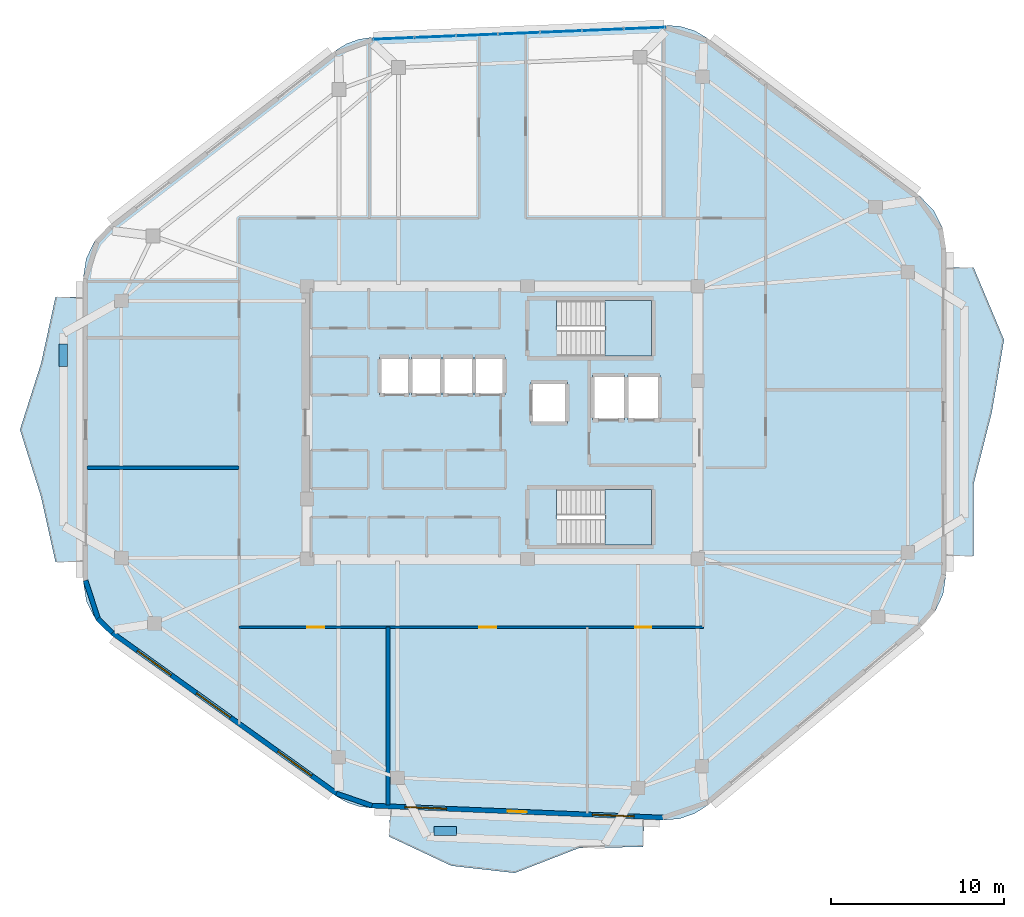
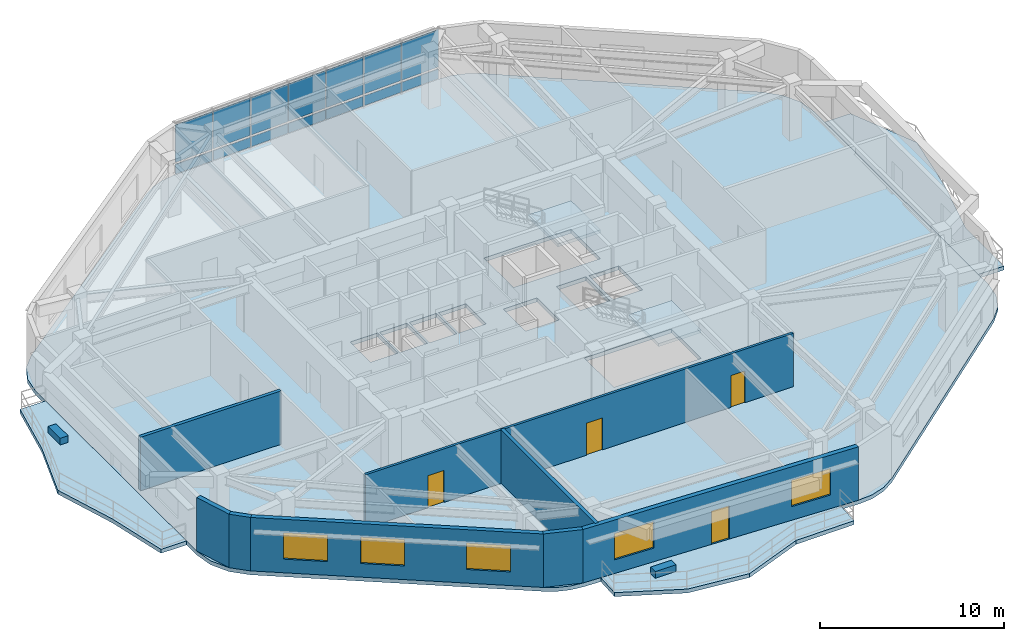
# One storey, part 5 of 12: 16 plates, 8 walls, 6 slabs, 5 windows, 4 doors, 9 openings, 3 elements without a shape of their own.
"""IFC4 building model written with IfcOpenShell, lengths in metres."""

from ifc_helpers import new_model, si_unit, direction, frame, frame_2d, origin, origin_2d, place, context, subcontext, project, spatial, polyline, rectangle, outline, extrude, material, layer, layer_set, type_object, element, fill, aggregate, save


model = new_model("IFC4")

# Units and contexts
model_context = context("Model", 3, precision=1e-05, world=origin(), true_north=direction((0.0, 1.0)))
body_context = subcontext(model_context, "Body", "Model", "MODEL_VIEW")
ifc_project = project(units=[si_unit("LENGTHUNIT", "METRE"), si_unit("AREAUNIT", "SQUARE_METRE"), si_unit("VOLUMEUNIT", "CUBIC_METRE"), si_unit("PLANEANGLEUNIT", "RADIAN"), si_unit("MASSUNIT", "GRAM", prefix="KILO")], contexts=[model_context])

# Site, building, storey
site_placement = place(None, origin())
site = spatial("IfcSite", under=ifc_project, at=site_placement, CompositionType="ELEMENT")
building_placement = place(site_placement, origin())
building = spatial("IfcBuilding", under=site, at=building_placement, Name="Zulverin Broadcast Headquarters", CompositionType="ELEMENT")
storey_placement = place(building_placement, frame((0.0, 0.0, 289.60009765625)))
storey = spatial("IfcBuildingStorey", under=building, at=storey_placement, Name="L74", CompositionType="ELEMENT", Elevation=289.60009765625)

# Curtain wall, plates
ifc_material_1 = material(Name="High-zone solar-control unitised curtain wall", Category="aluminium")
curtain_wall_type = type_object("IfcCurtainWallType", Name="CW-TWR-UPP", PredefinedType="USERDEFINED", material=ifc_material_1)
curtain_wall_placement = place(storey_placement, origin())
curtain_wall = element("IfcCurtainWall", 1, at=curtain_wall_placement, inside=storey, type_object=curtain_wall_type, Name="L74 Unitised Curtain Wall CW-L74-E5", ObjectType="UNITISED CURTAIN WALL", PredefinedType="USERDEFINED")
ifc_material_2 = material(Name="Low-E double-glazed pale-silver vision glass", Category="glass")
ifc_layer_1 = layer(ifc_material_2, 0.035888671875, Name="Low-E double-glazed pale-silver vision glass", Category="glass")
ifc_layer_set_1 = layer_set([ifc_layer_1], Name="Low-E double-glazed pale-silver vision glass")
plate_type_1 = type_object("IfcPlateType", Name="CW-PNL-GLZ", PredefinedType="CURTAIN_PANEL", material=ifc_layer_set_1)
plate_1_placement = place(storey_placement, frame((45.205078125, 47.975341796875, 0.91455078125), z_axis=(0.0, 0.0, 1.0), x_axis=(-0.999156343069, -0.041068261531, 0.0)))
plate_1 = element("IfcPlate", 2, at=plate_1_placement, type_object=plate_type_1, Name="CW-L74-E5 Vision Panel 00", PredefinedType="CURTAIN_PANEL", context=body_context, shape_type="SweptSolid", body=[
    extrude(rectangle(XDim=2.377685546875, YDim=0.035888671875, at=origin_2d()), origin(), (0.0, 0.0, 1.0), 2.4853515625),
])
plate_2_placement = place(storey_placement, frame((42.78955078125, 47.8759765625, 0.91455078125), z_axis=(0.0, 0.0, 1.0), x_axis=(-0.999156343069, -0.041068261531, 0.0)))
plate_2 = element("IfcPlate", 3, at=plate_2_placement, type_object=plate_type_1, Name="CW-L74-E5 Vision Panel 01", PredefinedType="CURTAIN_PANEL", context=body_context, shape_type="SweptSolid", body=[
    extrude(rectangle(XDim=2.377685546875, YDim=0.035888671875, at=origin_2d()), origin(), (0.0, 0.0, 1.0), 2.4853515625),
])
plate_3_placement = place(storey_placement, frame((40.3740234375, 47.776611328125, 0.91455078125), z_axis=(0.0, 0.0, 1.0), x_axis=(-0.999156343069, -0.041068261531, 0.0)))
plate_3 = element("IfcPlate", 4, at=plate_3_placement, type_object=plate_type_1, Name="CW-L74-E5 Vision Panel 02", PredefinedType="CURTAIN_PANEL", context=body_context, shape_type="SweptSolid", body=[
    extrude(rectangle(XDim=2.377685546875, YDim=0.035888671875, at=origin_2d()), origin(), (0.0, 0.0, 1.0), 2.4853515625),
])
plate_4_placement = place(storey_placement, frame((37.95849609375, 47.677490234375, 0.91455078125), z_axis=(0.0, 0.0, 1.0), x_axis=(-0.999156343069, -0.041068261531, 0.0)))
plate_4 = element("IfcPlate", 5, at=plate_4_placement, type_object=plate_type_1, Name="CW-L74-E5 Vision Panel 03", PredefinedType="CURTAIN_PANEL", context=body_context, shape_type="SweptSolid", body=[
    extrude(rectangle(XDim=2.377685546875, YDim=0.035888671875, at=origin_2d()), origin(), (0.0, 0.0, 1.0), 2.4853515625),
])
plate_5_placement = place(storey_placement, frame((35.54296875, 47.578125, 0.91455078125), z_axis=(0.0, 0.0, 1.0), x_axis=(-0.999156343069, -0.041068261531, 0.0)))
plate_5 = element("IfcPlate", 6, at=plate_5_placement, type_object=plate_type_1, Name="CW-L74-E5 Vision Panel 04", PredefinedType="CURTAIN_PANEL", context=body_context, shape_type="SweptSolid", body=[
    extrude(rectangle(XDim=2.377685546875, YDim=0.035888671875, at=origin_2d()), origin(), (0.0, 0.0, 1.0), 2.4853515625),
])
plate_6_placement = place(storey_placement, frame((33.12744140625, 47.478759765625, 0.91455078125), z_axis=(0.0, 0.0, 1.0), x_axis=(-0.999156343069, -0.041068261531, 0.0)))
plate_6 = element("IfcPlate", 7, at=plate_6_placement, type_object=plate_type_1, Name="CW-L74-E5 Vision Panel 05", PredefinedType="CURTAIN_PANEL", context=body_context, shape_type="SweptSolid", body=[
    extrude(rectangle(XDim=2.377685546875, YDim=0.035888671875, at=origin_2d()), origin(), (0.0, 0.0, 1.0), 2.4853515625),
])
plate_7_placement = place(storey_placement, frame((30.7119140625, 47.37939453125, 0.91455078125), z_axis=(0.0, 0.0, 1.0), x_axis=(-0.999156343069, -0.041068261531, 0.0)))
plate_7 = element("IfcPlate", 8, at=plate_7_placement, type_object=plate_type_1, Name="CW-L74-E5 Vision Panel 06", PredefinedType="CURTAIN_PANEL", context=body_context, shape_type="SweptSolid", body=[
    extrude(rectangle(XDim=2.377685546875, YDim=0.035888671875, at=origin_2d()), origin(), (0.0, 0.0, 1.0), 2.4853515625),
])
ifc_material_3 = material(Name="Insulated brushed pale-aluminium spandrel cassette", Category="aluminium")
ifc_layer_2 = layer(ifc_material_3, 0.050048828125, Name="Insulated brushed pale-aluminium spandrel cassette", Category="aluminium")
ifc_layer_set_2 = layer_set([ifc_layer_2], Name="Insulated brushed pale-aluminium spandrel cassette")
plate_type_2 = type_object("IfcPlateType", Name="CW-PNL-SPN", PredefinedType="CURTAIN_PANEL", material=ifc_layer_set_2)
plate_8_placement = place(storey_placement, frame((45.205078125, 47.975341796875, 0.139892578125), z_axis=(0.0, 0.0, 1.0), x_axis=(-0.999156343069, -0.041068261531, 0.0)))
plate_8 = element("IfcPlate", 9, at=plate_8_placement, type_object=plate_type_2, Name="CW-L74-E5 Spandrel Cassette 00", PredefinedType="CURTAIN_PANEL", context=body_context, shape_type="SweptSolid", body=[
    extrude(rectangle(XDim=2.377685546875, YDim=0.050048828125, at=origin_2d()), origin(), (0.0, 0.0, 1.0), 0.64453125),
])
plate_9_placement = place(storey_placement, frame((42.78955078125, 47.8759765625, 0.139892578125), z_axis=(0.0, 0.0, 1.0), x_axis=(-0.999156343069, -0.041068261531, 0.0)))
plate_9 = element("IfcPlate", 10, at=plate_9_placement, type_object=plate_type_2, Name="CW-L74-E5 Spandrel Cassette 01", PredefinedType="CURTAIN_PANEL", context=body_context, shape_type="SweptSolid", body=[
    extrude(rectangle(XDim=2.377685546875, YDim=0.050048828125, at=origin_2d()), origin(), (0.0, 0.0, 1.0), 0.64453125),
])
plate_10_placement = place(storey_placement, frame((40.3740234375, 47.776611328125, 0.139892578125), z_axis=(0.0, 0.0, 1.0), x_axis=(-0.999156343069, -0.041068261531, 0.0)))
plate_10 = element("IfcPlate", 11, at=plate_10_placement, type_object=plate_type_2, Name="CW-L74-E5 Spandrel Cassette 02", PredefinedType="CURTAIN_PANEL", context=body_context, shape_type="SweptSolid", body=[
    extrude(rectangle(XDim=2.377685546875, YDim=0.050048828125, at=origin_2d()), origin(), (0.0, 0.0, 1.0), 0.64453125),
])
plate_11_placement = place(storey_placement, frame((37.95849609375, 47.677490234375, 0.139892578125), z_axis=(0.0, 0.0, 1.0), x_axis=(-0.999156343069, -0.041068261531, 0.0)))
plate_11 = element("IfcPlate", 12, at=plate_11_placement, type_object=plate_type_2, Name="CW-L74-E5 Spandrel Cassette 03", PredefinedType="CURTAIN_PANEL", context=body_context, shape_type="SweptSolid", body=[
    extrude(rectangle(XDim=2.377685546875, YDim=0.050048828125, at=origin_2d()), origin(), (0.0, 0.0, 1.0), 0.64453125),
])
plate_12_placement = place(storey_placement, frame((35.54296875, 47.578125, 0.139892578125), z_axis=(0.0, 0.0, 1.0), x_axis=(-0.999156343069, -0.041068261531, 0.0)))
plate_12 = element("IfcPlate", 13, at=plate_12_placement, type_object=plate_type_2, Name="CW-L74-E5 Spandrel Cassette 04", PredefinedType="CURTAIN_PANEL", context=body_context, shape_type="SweptSolid", body=[
    extrude(rectangle(XDim=2.377685546875, YDim=0.050048828125, at=origin_2d()), origin(), (0.0, 0.0, 1.0), 0.64453125),
])
plate_13_placement = place(storey_placement, frame((33.12744140625, 47.478759765625, 0.139892578125), z_axis=(0.0, 0.0, 1.0), x_axis=(-0.999156343069, -0.041068261531, 0.0)))
plate_13 = element("IfcPlate", 14, at=plate_13_placement, type_object=plate_type_2, Name="CW-L74-E5 Spandrel Cassette 05", PredefinedType="CURTAIN_PANEL", context=body_context, shape_type="SweptSolid", body=[
    extrude(rectangle(XDim=2.377685546875, YDim=0.050048828125, at=origin_2d()), origin(), (0.0, 0.0, 1.0), 0.64453125),
])
plate_14_placement = place(storey_placement, frame((30.7119140625, 47.37939453125, 0.139892578125), z_axis=(0.0, 0.0, 1.0), x_axis=(-0.999156343069, -0.041068261531, 0.0)))
plate_14 = element("IfcPlate", 15, at=plate_14_placement, type_object=plate_type_2, Name="CW-L74-E5 Spandrel Cassette 06", PredefinedType="CURTAIN_PANEL", context=body_context, shape_type="SweptSolid", body=[
    extrude(rectangle(XDim=2.377685546875, YDim=0.050048828125, at=origin_2d()), origin(), (0.0, 0.0, 1.0), 0.64453125),
])
aggregate(curtain_wall, [plate_8, plate_1, plate_9, plate_2, plate_10, plate_3, plate_11, plate_4, plate_12, plate_5, plate_13, plate_6, plate_14, plate_7])

# Plates
ifc_material_4 = material(Name="Precast concrete C45/55", Category="concrete")
ifc_layer_3 = layer(ifc_material_4, 0.449951171875, Name="Precast concrete C45/55", Category="concrete")
ifc_layer_set_3 = layer_set([ifc_layer_3], Name="Precast concrete C45/55")
plate_type_3 = type_object("IfcPlateType", Name="PT-01_PRECAST_GFRC_TREE_PLANTER", PredefinedType="USERDEFINED", material=ifc_layer_set_3)
for number, where, z_axis, x_axis, name in (
    (16, (33.700439453125, 1.626708984375, -0.0048828125), (0.0, 0.0, 1.0), (1.0, 0.0, 0.0), "L74 Precast GFRC Tree Planter BAL_S"),
    (17, (11.64990234375, 29.082763671875, -0.0048828125), (0.0, 0.0, 1.0), (0.0, 1.0, 0.0), "L74 Precast GFRC Tree Planter BAL_W"),
):
    element("IfcPlate", number, at=place(storey_placement, frame(where, z_axis=z_axis, x_axis=x_axis)), inside=storey, type_object=plate_type_3, Name=name, ObjectType="PLANTER", PredefinedType="USERDEFINED", context=body_context, shape_type="SweptSolid", body=[
        extrude(rectangle(XDim=1.300048828125, YDim=0.5, at=origin_2d()), origin(), (0.0, 0.0, 1.0), 0.449951171875),
    ])

# Slabs
ifc_material_5 = material(Name="Concrete C40/50", Category="concrete")
ifc_layer_4 = layer(ifc_material_5, 0.260009765625, Name="Concrete C40/50", Category="concrete")
ifc_layer_set_4 = layer_set([ifc_layer_4], Name="Concrete C40/50")
slab_type_1 = type_object("IfcSlabType", Name="SLB-BAL-260", PredefinedType="FLOOR", material=ifc_layer_set_4)
slab_1_placement = place(storey_placement, frame((0.0, 0.0, -0.260009765625)))
element("IfcSlab", 18, at=slab_1_placement, inside=storey, type_object=slab_type_1, Name="L74 Cantilevered Planted Balcony Slab BAL_E", PredefinedType="FLOOR", context=body_context, shape_type="SweptSolid", body=[
    extrude(outline(polyline([(62.60009765625, 34.150146484375), (62.60009765625, 17.49560546875), (64.199951171875, 17.49560546875), (64.199951171875, 21.6591796875), (65.25390625, 25.82275390625), (65.9541015625, 29.986328125), (64.199951171875, 34.150146484375), (62.60009765625, 34.150146484375)])), origin(), (0.0, 0.0, 1.0), 0.260009765625),
])
slab_2_placement = place(storey_placement, frame((0.0, 0.0, -0.260009765625)))
element("IfcSlab", 19, at=slab_2_placement, inside=storey, type_object=slab_type_1, Name="L74 Cantilevered Planted Balcony Slab BAL_S", PredefinedType="FLOOR", context=body_context, shape_type="SweptSolid", body=[
    extrude(outline(polyline([(45.185302734375, 2.305419921875), (30.521728515625, 2.908203125), (30.4560546875, 1.3095703125), (34.05859375, -0.380615234375), (37.7138671875, -0.79296875), (41.445556640625, 0.658203125), (45.11962890625, 0.706787109375), (45.185302734375, 2.305419921875)])), origin(), (0.0, 0.0, 1.0), 0.260009765625),
])
slab_3_placement = place(storey_placement, frame((0.0, 0.0, -0.260009765625)))
element("IfcSlab", 20, at=slab_3_placement, inside=storey, type_object=slab_type_1, Name="L74 Cantilevered Planted Balcony Slab BAL_W", PredefinedType="FLOOR", context=body_context, shape_type="SweptSolid", body=[
    extrude(outline(polyline([(12.800048828125, 17.151611328125), (12.800048828125, 32.447998046875), (11.199951171875, 32.447998046875), (10.368408203125, 28.623779296875), (9.14990234375, 24.7998046875), (10.349853515625, 20.975830078125), (11.199951171875, 17.151611328125), (12.800048828125, 17.151611328125)])), origin(), (0.0, 0.0, 1.0), 0.260009765625),
])

# Stair, slab
stair_type = type_object("IfcStairType", Name="ST-CORE-1500", PredefinedType="HALF_TURN_STAIR", material=ifc_material_5)
stair_1_placement = place(storey_placement, origin())
stair_1 = element("IfcStair", 21, at=stair_1_placement, inside=storey, type_object=stair_type, Name="L74 Core Exit Stair ST-1", PredefinedType="HALF_TURN_STAIR")
ifc_layer_5 = layer(ifc_material_5, 0.199951171875, Name="Concrete C40/50", Category="concrete")
ifc_layer_set_5 = layer_set([ifc_layer_5], Name="Concrete C40/50")
slab_type_2 = type_object("IfcSlabType", Name="SLB-ST-LND200", PredefinedType="LANDING", material=ifc_layer_set_5)
slab_4_placement = place(storey_placement, frame((0.0, 0.0, 1.699951171875)))
slab_4 = element("IfcSlab", 22, at=slab_4_placement, type_object=slab_type_2, Name="ST-1 landing 1", PredefinedType="LANDING", context=body_context, shape_type="SweptSolid", body=[
    extrude(outline(polyline([(42.929931640625, 29.050048828125), (45.60009765625, 29.050048828125), (45.60009765625, 32.25), (42.929931640625, 32.25), (42.929931640625, 29.050048828125)])), origin(), (0.0, 0.0, 1.0), 0.199951171875),
])
aggregate(stair_1, [slab_4])

stair_2_placement = place(storey_placement, origin())
stair_2 = element("IfcStair", 23, at=stair_2_placement, inside=storey, type_object=stair_type, Name="L74 Core Exit Stair ST-2", PredefinedType="HALF_TURN_STAIR")
slab_5_placement = place(storey_placement, frame((0.0, 0.0, 1.699951171875)))
slab_5 = element("IfcSlab", 24, at=slab_5_placement, type_object=slab_type_2, Name="ST-2 landing 1", PredefinedType="LANDING", context=body_context, shape_type="SweptSolid", body=[
    extrude(outline(polyline([(42.929931640625, 18.14990234375), (45.60009765625, 18.14990234375), (45.60009765625, 21.35009765625), (42.929931640625, 21.35009765625), (42.929931640625, 18.14990234375)])), origin(), (0.0, 0.0, 1.0), 0.199951171875),
])
aggregate(stair_2, [slab_5])

# Slab
ifc_layer_6 = layer(ifc_material_5, 0.260009765625, Name="Concrete C40/50", Category="concrete")
ifc_layer_set_6 = layer_set([ifc_layer_6], Name="Concrete C40/50")
slab_type_3 = type_object("IfcSlabType", Name="SLB-TWR-260", PredefinedType="FLOOR", material=ifc_layer_set_6)
slab_6_placement = place(storey_placement, frame((0.0, 0.0, -0.260009765625)))
element("IfcSlab", 25, at=slab_6_placement, inside=storey, type_object=slab_type_3, Name="L74 Main Structural Floor Slab", PredefinedType="FLOOR", context=body_context, shape_type="SweptSolid", body=[
    extrude(outline(polyline([(27.364990234375, 3.66162109375), (28.00048828125, 3.293212890625), (28.695068359375, 3.05419921875), (29.422607421875, 2.953369140625), (46.284423828125, 2.26025390625), (47.21337890625, 2.33642578125), (48.095703125, 2.63671875), (48.878662109375, 3.142333984375), (61.238037109375, 13.480712890625), (61.97265625, 14.30419921875), (62.439697265625, 15.3037109375), (62.60009765625, 16.3955078125), (62.60009765625, 35.25), (62.418212890625, 36.4111328125), (61.890625, 37.4609375), (61.0673828125, 38.299560546875), (48.831298828125, 47.3974609375), (48.087646484375, 47.8291015625), (47.265869140625, 48.08251953125), (46.407958984375, 48.144775390625), (29.499267578125, 47.44970703125), (28.726318359375, 47.337646484375), (27.992919921875, 47.070068359375), (27.329345703125, 46.657958984375), (14.274169921875, 36.552978515625), (13.481201171875, 35.71875), (12.974365234375, 34.685546875), (12.800048828125, 33.548095703125), (12.800048828125, 16.0517578125), (12.988525390625, 14.86962890625), (13.535400390625, 13.804931640625), (14.386474609375, 12.963134765625), (27.364990234375, 3.66162109375)]), holes=[polyline([(40.155029296875, 30.75), (40.130126953125, 30.75), (40.130126953125, 32.25), (45.60009765625, 32.25), (45.60009765625, 29.050048828125), (40.155029296875, 29.050048828125), (40.155029296875, 30.75)]), polyline([(40.155029296875, 19.85009765625), (40.130126953125, 19.85009765625), (40.130126953125, 21.35009765625), (45.60009765625, 21.35009765625), (45.60009765625, 18.14990234375), (40.155029296875, 18.14990234375), (40.155029296875, 19.85009765625)]), polyline([(29.89990234375, 26.800048828125), (31.6201171875, 26.800048828125), (31.6201171875, 29.0), (29.89990234375, 29.0), (29.89990234375, 26.800048828125)]), polyline([(31.739990234375, 26.800048828125), (33.4599609375, 26.800048828125), (33.4599609375, 29.0), (31.739990234375, 29.0), (31.739990234375, 26.800048828125)]), polyline([(33.580078125, 26.800048828125), (35.300048828125, 26.800048828125), (35.300048828125, 29.0), (33.580078125, 29.0), (33.580078125, 26.800048828125)]), polyline([(35.419921875, 26.800048828125), (37.139892578125, 26.800048828125), (37.139892578125, 29.0), (35.419921875, 29.0), (35.419921875, 26.800048828125)]), polyline([(42.199951171875, 25.35009765625), (44.050048828125, 25.35009765625), (44.050048828125, 27.949951171875), (42.199951171875, 27.949951171875), (42.199951171875, 25.35009765625)]), polyline([(44.25, 25.35009765625), (46.10009765625, 25.35009765625), (46.10009765625, 27.949951171875), (44.25, 27.949951171875), (44.25, 25.35009765625)]), polyline([(38.64990234375, 25.14990234375), (40.75, 25.14990234375), (40.75, 27.550048828125), (38.64990234375, 27.550048828125), (38.64990234375, 25.14990234375)])]), origin(), (0.0, 0.0, 1.0), 0.260009765625),
])

# Walls
ifc_material_6 = material(Name="Acoustic drywall steel stud", Category="steel")
ifc_layer_7 = layer(ifc_material_6, 0.199951171875, Name="Acoustic drywall steel stud", Category="steel")
ifc_layer_set_7 = layer_set([ifc_layer_7], Name="Acoustic drywall steel stud")
wall_type_1 = type_object("IfcWallType", Name="WL-ACOU-200", PredefinedType="PARTITIONING", material=ifc_layer_set_7)
wall_1_placement = place(storey_placement, frame((13.0048828125, 22.60009765625, 0.0), z_axis=(0.0, 0.0, 1.0), x_axis=(1.0, 0.0, 0.0)))
element("IfcWall", 26, at=wall_1_placement, inside=storey, type_object=wall_type_1, Name="L74 Room Partition Wall RP-12", PredefinedType="PARTITIONING", context=body_context, shape_type="SweptSolid", body=[
    extrude(rectangle(XDim=8.795166015625, YDim=0.199951171875, at=frame_2d((4.3974609375, 0.0))), origin(), (0.0, 0.0, 1.0), 3.539794921875),
])
ifc_material_7 = material(Name="Double-stud acoustic drywall", Category="gypsum")
ifc_layer_8 = layer(ifc_material_7, 0.219970703125, Name="Double-stud acoustic drywall", Category="gypsum")
ifc_layer_set_8 = layer_set([ifc_layer_8], Name="Double-stud acoustic drywall")
wall_type_2 = type_object("IfcWallType", Name="WL-ACOU-220", PredefinedType="PARTITIONING", material=ifc_layer_set_8)
wall_2_placement = place(storey_placement, frame((30.39990234375, 3.1181640625, 0.0), z_axis=(0.0, 0.0, 1.0), x_axis=(0.0, 1.0, 0.0)))
element("IfcWall", 27, at=wall_2_placement, inside=storey, type_object=wall_type_2, Name="L74 Room Partition Wall RP-07", PredefinedType="PARTITIONING", context=body_context, shape_type="SweptSolid", body=[
    extrude(rectangle(XDim=10.28173828125, YDim=0.219970703125, at=frame_2d((5.140869140625, 0.0))), origin(), (0.0, 0.0, 1.0), 3.539794921875),
])

# Wall, openings, door, windows
ifc_material_8 = material(Name="Insulated pale-metal clad concrete spandrel C40/50", Category="concrete")
ifc_layer_9 = layer(ifc_material_8, 0.280029296875, Name="Insulated pale-metal clad concrete spandrel C40/50", Category="concrete")
ifc_layer_set_9 = layer_set([ifc_layer_9], Name="Insulated pale-metal clad concrete spandrel C40/50")
wall_type_3 = type_object("IfcWallType", Name="WL-EXT-280", PredefinedType="STANDARD", material=ifc_layer_set_9)
wall_3_placement = place(storey_placement, frame((29.42822265625, 3.09326171875, 0.0), z_axis=(0.0, 0.0, 1.0), x_axis=(0.999156257967, -0.041070331944, 0.0)))
wall_3 = element("IfcWall", 28, at=wall_3_placement, inside=storey, type_object=wall_type_3, Name="L74 Pale-Metal Clad Spandrel Wall 1", PredefinedType="STANDARD", context=body_context, shape_type="SweptSolid", body=[
    extrude(rectangle(XDim=16.876220703125, YDim=0.280029296875, at=frame_2d((8.43798828125, 0.0))), origin(), (0.0, 0.0, 1.0), 3.539794921875),
])
opening_1_placement = place(wall_3_placement, frame((7.88818359375, 0.0, 0.0)))
opening_1 = element("IfcOpeningElement", 29, at=opening_1_placement, cuts=wall_3, Name="Opening D-L74-TR1", PredefinedType="OPENING", context=body_context, shape_type="SweptSolid", body=[
    extrude(rectangle(XDim=1.10009765625, YDim=2.199951171875, at=frame_2d((0.550048828125, 1.10009765625))), frame((0.0, 0.14990234375, 0.0), z_axis=(0.0, -1.0, 0.0), x_axis=(1.0, 0.0, 0.0)), (0.0, 0.0, 1.0), 0.300048828125),
])
opening_2_placement = place(wall_3_placement, frame((1.946044921875, 0.0, 0.89990234375)))
opening_2 = element("IfcOpeningElement", 30, at=opening_2_placement, cuts=wall_3, Name="Opening W-L74-E11", PredefinedType="OPENING", context=body_context, shape_type="SweptSolid", body=[
    extrude(rectangle(XDim=2.39990234375, YDim=1.75, at=frame_2d((1.199951171875, 0.875))), frame((0.0, 0.14990234375, 0.0), z_axis=(0.0, -1.0, 0.0), x_axis=(1.0, 0.0, 0.0)), (0.0, 0.0, 1.0), 0.300048828125),
])
opening_3_placement = place(wall_3_placement, frame((12.780029296875, 0.0, 0.89990234375)))
opening_3 = element("IfcOpeningElement", 31, at=opening_3_placement, cuts=wall_3, Name="Opening W-L74-E12", PredefinedType="OPENING", context=body_context, shape_type="SweptSolid", body=[
    extrude(rectangle(XDim=2.39990234375, YDim=1.75, at=frame_2d((1.199951171875, 0.875))), frame((0.0, 0.14990234375, 0.0), z_axis=(0.0, -1.0, 0.0), x_axis=(1.0, 0.0, 0.0)), (0.0, 0.0, 1.0), 0.300048828125),
])
ifc_material_9 = material(Name="Thermally broken aluminium glazed", Category="aluminium")
door_type_1 = type_object("IfcDoorType", Name="DR-TERR-1100", OperationType="SINGLE_SWING_RIGHT", PredefinedType="DOOR", material=ifc_material_9)
door_1_placement = place(opening_1_placement, origin())
door_1 = element("IfcDoor", 32, at=door_1_placement, inside=storey, type_object=door_type_1, Name="L74 Planted Terrace Glazed Access Door 1", OperationType="SINGLE_SWING_RIGHT", OverallHeight=2.199951171875, OverallWidth=1.10009765625, PredefinedType="DOOR", context=body_context, shape_type="SweptSolid", body=[
    extrude(rectangle(XDim=1.10009765625, YDim=2.199951171875, at=frame_2d((0.550048828125, 1.10009765625))), frame((0.0, 0.02490234375, 0.0), z_axis=(0.0, -1.0, 0.0), x_axis=(1.0, 0.0, 0.0)), (0.0, 0.0, 1.0), 0.050048828125),
])
fill(opening_1, door_1)
ifc_material_10 = material(Name="Pale anodized aluminium frame with solar-control low-E double glazing", Category="aluminium")
window_type = type_object("IfcWindowType", Name="WIN-RIB-2400", PartitioningType="SINGLE_PANEL", PredefinedType="WINDOW", material=ifc_material_10)
window_1_placement = place(opening_2_placement, origin())
window_1 = element("IfcWindow", 33, at=window_1_placement, inside=storey, type_object=window_type, Name="L74 Ribbon Glazing Window 1 1", OverallHeight=1.75, OverallWidth=2.39990234375, PartitioningType="SINGLE_PANEL", PredefinedType="WINDOW", context=body_context, shape_type="SweptSolid", body=[
    extrude(rectangle(XDim=2.39990234375, YDim=1.75, at=frame_2d((1.199951171875, 0.875))), frame((0.0, 0.030029296875, 0.0), z_axis=(0.0, -1.0, 0.0), x_axis=(1.0, 0.0, 0.0)), (0.0, 0.0, 1.0), 0.06005859375),
])
fill(opening_2, window_1)
window_2_placement = place(opening_3_placement, origin())
window_2 = element("IfcWindow", 34, at=window_2_placement, inside=storey, type_object=window_type, Name="L74 Ribbon Glazing Window 1 2", OverallHeight=1.75, OverallWidth=2.39990234375, PartitioningType="SINGLE_PANEL", PredefinedType="WINDOW", context=body_context, shape_type="SweptSolid", body=[
    extrude(rectangle(XDim=2.39990234375, YDim=1.75, at=frame_2d((1.199951171875, 0.875))), frame((0.0, 0.030029296875, 0.0), z_axis=(0.0, -1.0, 0.0), x_axis=(1.0, 0.0, 0.0)), (0.0, 0.0, 1.0), 0.06005859375),
])
fill(opening_3, window_2)

# Wall, openings, windows
wall_4_placement = place(storey_placement, frame((14.468017578125, 13.076904296875, 0.0), z_axis=(0.0, 0.0, 1.0), x_axis=(0.812809888039, -0.582529042972, 0.0)))
wall_4 = element("IfcWall", 35, at=wall_4_placement, inside=storey, type_object=wall_type_3, Name="L74 Pale-Metal Clad Spandrel Wall 8", PredefinedType="STANDARD", context=body_context, shape_type="SweptSolid", body=[
    extrude(rectangle(XDim=15.967529296875, YDim=0.280029296875, at=frame_2d((7.98388671875, 0.0))), origin(), (0.0, 0.0, 1.0), 3.539794921875),
])
opening_4_placement = place(wall_4_placement, frame((1.794677734375, 0.0, 0.89990234375)))
opening_4 = element("IfcOpeningElement", 36, at=opening_4_placement, cuts=wall_4, Name="Opening W-L74-E81", PredefinedType="OPENING", context=body_context, shape_type="SweptSolid", body=[
    extrude(rectangle(XDim=2.39990234375, YDim=1.75, at=frame_2d((1.199951171875, 0.875))), frame((0.0, 0.14990234375, 0.0), z_axis=(0.0, -1.0, 0.0), x_axis=(1.0, 0.0, 0.0)), (0.0, 0.0, 1.0), 0.300048828125),
])
opening_5_placement = place(wall_4_placement, frame((6.00390625, 0.0, 0.89990234375)))
opening_5 = element("IfcOpeningElement", 37, at=opening_5_placement, cuts=wall_4, Name="Opening W-L74-E82", PredefinedType="OPENING", context=body_context, shape_type="SweptSolid", body=[
    extrude(rectangle(XDim=2.39990234375, YDim=1.75, at=frame_2d((1.199951171875, 0.875))), frame((0.0, 0.14990234375, 0.0), z_axis=(0.0, -1.0, 0.0), x_axis=(1.0, 0.0, 0.0)), (0.0, 0.0, 1.0), 0.300048828125),
])
opening_6_placement = place(wall_4_placement, frame((11.77294921875, 0.0, 0.89990234375)))
opening_6 = element("IfcOpeningElement", 38, at=opening_6_placement, cuts=wall_4, Name="Opening W-L74-E83", PredefinedType="OPENING", context=body_context, shape_type="SweptSolid", body=[
    extrude(rectangle(XDim=2.39990234375, YDim=1.75, at=frame_2d((1.199951171875, 0.875))), frame((0.0, 0.14990234375, 0.0), z_axis=(0.0, -1.0, 0.0), x_axis=(1.0, 0.0, 0.0)), (0.0, 0.0, 1.0), 0.300048828125),
])
window_3_placement = place(opening_4_placement, origin())
window_3 = element("IfcWindow", 39, at=window_3_placement, inside=storey, type_object=window_type, Name="L74 Ribbon Glazing Window 8 1", OverallHeight=1.75, OverallWidth=2.39990234375, PartitioningType="SINGLE_PANEL", PredefinedType="WINDOW", context=body_context, shape_type="SweptSolid", body=[
    extrude(rectangle(XDim=2.39990234375, YDim=1.75, at=frame_2d((1.199951171875, 0.875))), frame((0.0, 0.030029296875, 0.0), z_axis=(0.0, -1.0, 0.0), x_axis=(1.0, 0.0, 0.0)), (0.0, 0.0, 1.0), 0.06005859375),
])
fill(opening_4, window_3)
window_4_placement = place(opening_5_placement, origin())
window_4 = element("IfcWindow", 40, at=window_4_placement, inside=storey, type_object=window_type, Name="L74 Ribbon Glazing Window 8 2", OverallHeight=1.75, OverallWidth=2.39990234375, PartitioningType="SINGLE_PANEL", PredefinedType="WINDOW", context=body_context, shape_type="SweptSolid", body=[
    extrude(rectangle(XDim=2.39990234375, YDim=1.75, at=frame_2d((1.199951171875, 0.875))), frame((0.0, 0.030029296875, 0.0), z_axis=(0.0, -1.0, 0.0), x_axis=(1.0, 0.0, 0.0)), (0.0, 0.0, 1.0), 0.06005859375),
])
fill(opening_5, window_4)
window_5_placement = place(opening_6_placement, origin())
window_5 = element("IfcWindow", 41, at=window_5_placement, inside=storey, type_object=window_type, Name="L74 Ribbon Glazing Window 8 3", OverallHeight=1.75, OverallWidth=2.39990234375, PartitioningType="SINGLE_PANEL", PredefinedType="WINDOW", context=body_context, shape_type="SweptSolid", body=[
    extrude(rectangle(XDim=2.39990234375, YDim=1.75, at=frame_2d((1.199951171875, 0.875))), frame((0.0, 0.030029296875, 0.0), z_axis=(0.0, -1.0, 0.0), x_axis=(1.0, 0.0, 0.0)), (0.0, 0.0, 1.0), 0.06005859375),
])
fill(opening_6, window_5)

# Walls
wall_5_placement = place(storey_placement, frame((12.93310546875, 16.09521484375, 0.0), z_axis=(0.0, 0.0, 1.0), x_axis=(0.3110492363, -0.950393798695, 0.0)))
element("IfcWall", 42, at=wall_5_placement, inside=storey, type_object=wall_type_3, Name="L74 Wind-Shaped Corner Spandrel Wall 7-1", PredefinedType="STANDARD", context=body_context, shape_type="SweptSolid", body=[
    extrude(rectangle(XDim=2.364013671875, YDim=0.280029296875, at=frame_2d((1.18212890625, 0.0))), origin(), (0.0, 0.0, 1.0), 3.539794921875),
])
wall_6_placement = place(storey_placement, frame((13.6337890625, 13.904296875, 0.0), z_axis=(0.0, 0.0, 1.0), x_axis=(0.710971221429, -0.703221104845, 0.0)))
element("IfcWall", 43, at=wall_6_placement, inside=storey, type_object=wall_type_3, Name="L74 Wind-Shaped Corner Spandrel Wall 7-2", PredefinedType="STANDARD", context=body_context, shape_type="SweptSolid", body=[
    extrude(rectangle(XDim=1.197021484375, YDim=0.280029296875, at=frame_2d((0.5986328125, 0.0))), origin(), (0.0, 0.0, 1.0), 3.539794921875),
])
wall_7_placement = place(storey_placement, frame((27.41064453125, 3.7939453125, 0.0), z_axis=(0.0, 0.0, 1.0), x_axis=(0.945552869008, -0.325468542121, 0.0)))
element("IfcWall", 44, at=wall_7_placement, inside=storey, type_object=wall_type_3, Name="L74 Wind-Shaped Corner Spandrel Wall 8-1", PredefinedType="STANDARD", context=body_context, shape_type="SweptSolid", body=[
    extrude(rectangle(XDim=2.176025390625, YDim=0.280029296875, at=frame_2d((1.087890625, 0.0))), origin(), (0.0, 0.0, 1.0), 3.539794921875),
])

# Wall, openings, doors
ifc_material_11 = material(Name="Fire-rated gypsum stud partition", Category="gypsum")
ifc_layer_10 = layer(ifc_material_11, 0.14990234375, Name="Fire-rated gypsum stud partition", Category="gypsum")
ifc_layer_set_10 = layer_set([ifc_layer_10], Name="Fire-rated gypsum stud partition")
wall_type_4 = type_object("IfcWallType", Name="WL-PART-150", PredefinedType="PARTITIONING", material=ifc_layer_set_10)
wall_8_placement = place(storey_placement, frame((21.800048828125, 13.39990234375, 0.0), z_axis=(0.0, 0.0, 1.0), x_axis=(1.0, 0.0, 0.0)))
wall_8 = element("IfcWall", 45, at=wall_8_placement, inside=storey, type_object=wall_type_4, Name="L74 Gallery Partition Wall CG-10", PredefinedType="PARTITIONING", context=body_context, shape_type="SweptSolid", body=[
    extrude(rectangle(XDim=26.800048828125, YDim=0.14990234375, at=frame_2d((13.39990234375, 0.0))), origin(), (0.0, 0.0, 1.0), 3.539794921875),
])
opening_7_placement = place(wall_8_placement, frame((3.919921875, 0.0, 0.0)))
opening_7 = element("IfcOpeningElement", 46, at=opening_7_placement, cuts=wall_8, Name="Opening D-L74-05", PredefinedType="OPENING", context=body_context, shape_type="SweptSolid", body=[
    extrude(rectangle(XDim=1.0, YDim=2.1201171875, at=frame_2d((0.5, 1.06005859375))), frame((0.0, 0.0849609375, 0.0), z_axis=(0.0, -1.0, 0.0), x_axis=(1.0, 0.0, 0.0)), (0.0, 0.0, 1.0), 0.169921875),
])
opening_8_placement = place(wall_8_placement, frame((13.85009765625, 0.0, 0.0)))
opening_8 = element("IfcOpeningElement", 47, at=opening_8_placement, cuts=wall_8, Name="Opening D-L74-06", PredefinedType="OPENING", context=body_context, shape_type="SweptSolid", body=[
    extrude(rectangle(XDim=1.0, YDim=2.1201171875, at=frame_2d((0.5, 1.06005859375))), frame((0.0, 0.0849609375, 0.0), z_axis=(0.0, -1.0, 0.0), x_axis=(1.0, 0.0, 0.0)), (0.0, 0.0, 1.0), 0.169921875),
])
opening_9_placement = place(wall_8_placement, frame((22.8798828125, 0.0, 0.0)))
opening_9 = element("IfcOpeningElement", 48, at=opening_9_placement, cuts=wall_8, Name="Opening D-L74-07", PredefinedType="OPENING", context=body_context, shape_type="SweptSolid", body=[
    extrude(rectangle(XDim=0.89990234375, YDim=2.10009765625, at=frame_2d((0.449951171875, 1.050048828125))), frame((0.0, 0.0849609375, 0.0), z_axis=(0.0, -1.0, 0.0), x_axis=(1.0, 0.0, 0.0)), (0.0, 0.0, 1.0), 0.169921875),
])
ifc_material_12 = material(Name="Hardwood veneer acoustic leaf", Category="wood")
door_type_2 = type_object("IfcDoorType", Name="DR-OFF-1000", OperationType="SINGLE_SWING_LEFT", PredefinedType="DOOR", material=ifc_material_12)
door_2_placement = place(opening_7_placement, origin())
door_2 = element("IfcDoor", 49, at=door_2_placement, inside=storey, type_object=door_type_2, Name="L74 Controller Office Door", OperationType="SINGLE_SWING_RIGHT", OverallHeight=2.1201171875, OverallWidth=1.0, PredefinedType="DOOR", context=body_context, shape_type="SweptSolid", body=[
    extrude(rectangle(XDim=1.0, YDim=2.1201171875, at=frame_2d((0.5, 1.06005859375))), frame((0.0, 0.02490234375, 0.0), z_axis=(0.0, -1.0, 0.0), x_axis=(1.0, 0.0, 0.0)), (0.0, 0.0, 1.0), 0.050048828125),
])
fill(opening_7, door_2)
door_3_placement = place(opening_8_placement, origin())
door_3 = element("IfcDoor", 50, at=door_3_placement, inside=storey, type_object=door_type_2, Name="L74 Secretariat Office Door", OperationType="SINGLE_SWING_LEFT", OverallHeight=2.1201171875, OverallWidth=1.0, PredefinedType="DOOR", context=body_context, shape_type="SweptSolid", body=[
    extrude(rectangle(XDim=1.0, YDim=2.1201171875, at=frame_2d((0.5, 1.06005859375))), frame((0.0, 0.02490234375, 0.0), z_axis=(0.0, -1.0, 0.0), x_axis=(1.0, 0.0, 0.0)), (0.0, 0.0, 1.0), 0.050048828125),
])
fill(opening_8, door_3)
ifc_material_13 = material(Name="Fire-rated hardwood veneer timber leaf", Category="wood")
door_type_3 = type_object("IfcDoorType", Name="DR-ROOM-900", OperationType="SINGLE_SWING_RIGHT", PredefinedType="DOOR", material=ifc_material_13)
door_4_placement = place(opening_9_placement, origin())
door_4 = element("IfcDoor", 51, at=door_4_placement, inside=storey, type_object=door_type_3, Name="L74 Advisory Meeting Room Door", OperationType="SINGLE_SWING_RIGHT", OverallHeight=2.10009765625, OverallWidth=0.89990234375, PredefinedType="DOOR", context=body_context, shape_type="SweptSolid", body=[
    extrude(rectangle(XDim=0.89990234375, YDim=2.10009765625, at=frame_2d((0.449951171875, 1.050048828125))), frame((0.0, 0.02490234375, 0.0), z_axis=(0.0, -1.0, 0.0), x_axis=(1.0, 0.0, 0.0)), (0.0, 0.0, 1.0), 0.050048828125),
])
fill(opening_9, door_4)

save(model, "model.ifc")
